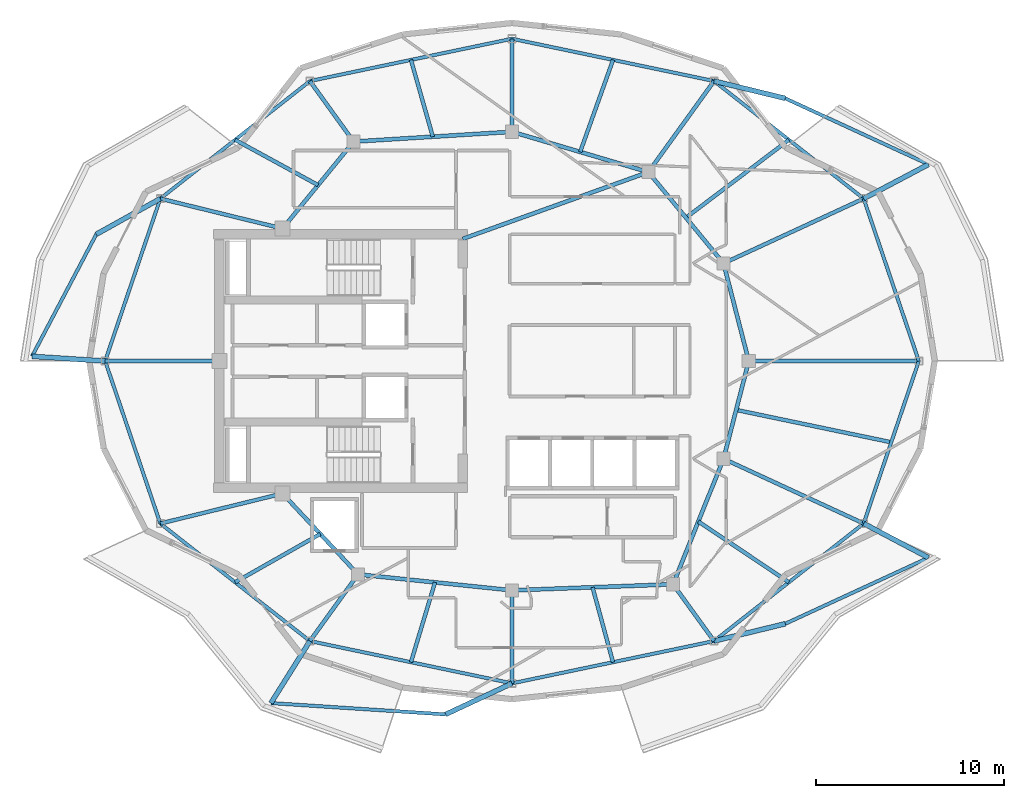
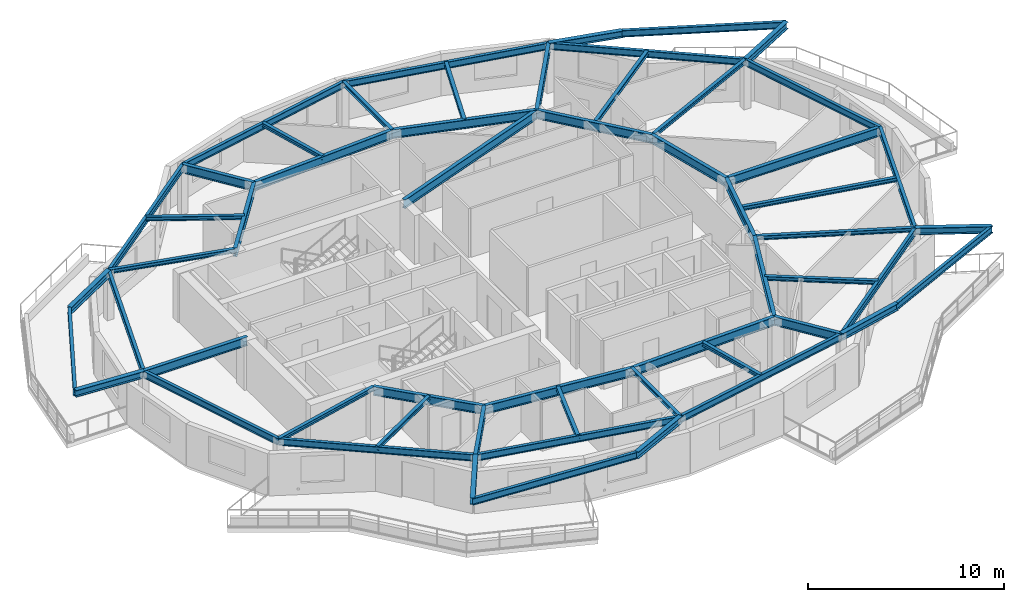
# One storey, part 2 of 9: 56 beams.
"""IFC4 building model written with IfcOpenShell, lengths in metres."""

from ifc_helpers import new_model, si_unit, direction, frame, origin, origin_2d, place, context, subcontext, project, spatial, i_section, extrude, material, material_profile, profile_set, type_object, element, save


model = new_model("IFC4")

# Units and contexts
model_context = context("Model", 3, precision=1e-05, world=origin(), true_north=direction((0.0, 1.0)))
body_context = subcontext(model_context, "Body", "Model", "MODEL_VIEW")
ifc_project = project(units=[si_unit("LENGTHUNIT", "METRE"), si_unit("AREAUNIT", "SQUARE_METRE"), si_unit("VOLUMEUNIT", "CUBIC_METRE"), si_unit("PLANEANGLEUNIT", "RADIAN"), si_unit("MASSUNIT", "GRAM", prefix="KILO")], contexts=[model_context])

# Site, building, storey
site_placement = place(None, origin())
site = spatial("IfcSite", under=ifc_project, at=site_placement, CompositionType="ELEMENT")
building_placement = place(site_placement, origin())
building = spatial("IfcBuilding", under=site, at=building_placement, Name="Kolvaren Gate Tower and Convention Centre", CompositionType="ELEMENT")
storey_placement = place(building_placement, frame((0.0, 0.0, 249.199951171875)))
storey = spatial("IfcBuildingStorey", under=building, at=storey_placement, Name="L67", CompositionType="ELEMENT", Elevation=249.199951171875)

# Beams
ifc_material = material(Name="Structural steel ASTM A992 Grade 345 MPa", Category="steel")
ifc_material_profile_1 = material_profile(ifc_material, i_section(OverallWidth=0.260009765625, OverallDepth=0.419921875, WebThickness=0.013427734375, FlangeThickness=0.0224609375, at=origin_2d()), Name="W410X132")
ifc_profile_set_1 = profile_set([ifc_material_profile_1], Name="Structural steel ASTM A992 Grade 345 MPa")
beam_type_1 = type_object("IfcBeamType", Name="STR-BM-W410X132", PredefinedType="BEAM", material=ifc_profile_set_1)
for number, where, z_axis, x_axis, name in (
    (1, (48.8388671875, 35.6435546875, 2.820556640625), (0.884160696862, 0.467182900077, 0.0), (-0.467182900077, 0.884160696862, 0.0), "Tower L68 Planted Balcony Outrigger Cantilever BC-1A"),
    (2, (40.877685546875, 41.899169921875, 2.820556640625), (0.971737499765, -0.236064041204, 0.0), (0.236064041204, 0.971737499765, 0.0), "Tower L68 Planted Balcony Outrigger Cantilever BC-1B"),
    (3, (11.4111328125, 35.6435546875, 2.820556640625), (-0.87366073598, -0.486535629123, 0.0), (0.486535629123, -0.87366073598, 0.0), "Tower L68 Planted Balcony Outrigger Cantilever BC-2A"),
):
    element("IfcBeam", number, at=place(storey_placement, frame(where, z_axis=z_axis, x_axis=x_axis)), inside=storey, type_object=beam_type_1, Name=name, PredefinedType="BEAM", context=body_context, shape_type="SweptSolid", body=[
        extrude(i_section(OverallWidth=0.260009765625, OverallDepth=0.419921875, WebThickness=0.013427734375, FlangeThickness=0.0224609375, at=origin_2d()), origin(), (0.0, 0.0, 1.0), 3.89990234375),
    ])
beam_1_placement = place(storey_placement, frame((8.47509765625, 27.0, 2.820556640625), z_axis=(-0.997935416092, 0.064225425725, 0.0), x_axis=(-0.064225425725, -0.997935416092, 0.0)))
element("IfcBeam", 4, at=beam_1_placement, inside=storey, type_object=beam_type_1, Name="Tower L68 Planted Balcony Outrigger Cantilever BC-2B", PredefinedType="BEAM", context=body_context, shape_type="SweptSolid", body=[
    extrude(i_section(OverallWidth=0.260009765625, OverallDepth=0.419921875, WebThickness=0.013427734375, FlangeThickness=0.0224609375, at=origin_2d()), origin(), (0.0, 0.0, 1.0), 3.900146484375),
])
beam_2_placement = place(storey_placement, frame((19.372314453125, 12.100830078125, 2.820556640625), z_axis=(-0.532298463372, -0.846556758813, 0.0), x_axis=(0.846556758813, -0.532298463372, 0.0)))
element("IfcBeam", 5, at=beam_2_placement, inside=storey, type_object=beam_type_1, Name="Tower L68 Planted Balcony Outrigger Cantilever BC-3A", PredefinedType="BEAM", context=body_context, shape_type="SweptSolid", body=[
    extrude(i_section(OverallWidth=0.260009765625, OverallDepth=0.419921875, WebThickness=0.013427734375, FlangeThickness=0.0224609375, at=origin_2d()), origin(), (0.0, 0.0, 1.0), 3.89990234375),
])
beam_3_placement = place(storey_placement, frame((30.125, 9.85009765625, 2.820556640625), z_axis=(-0.905850224108, -0.423598124977, 0.0), x_axis=(0.423598124977, -0.905850224108, 0.0)))
element("IfcBeam", 6, at=beam_3_placement, inside=storey, type_object=beam_type_1, Name="Tower L68 Planted Balcony Outrigger Cantilever BC-3B", PredefinedType="BEAM", context=body_context, shape_type="SweptSolid", body=[
    extrude(i_section(OverallWidth=0.260009765625, OverallDepth=0.419921875, WebThickness=0.013427734375, FlangeThickness=0.0224609375, at=origin_2d()), origin(), (0.0, 0.0, 1.0), 3.900146484375),
])
for number, where, z_axis, x_axis, name in (
    (7, (40.877685546875, 12.100830078125, 2.820556640625), (0.971737499765, 0.236064041204, 0.0), (-0.236064041204, 0.971737499765, 0.0), "Tower L68 Planted Balcony Outrigger Cantilever BC-4A"),
    (8, (48.8388671875, 18.3564453125, 2.820556640625), (0.884160696862, -0.467182900077, 0.0), (0.467182900077, 0.884160696862, 0.0), "Tower L68 Planted Balcony Outrigger Cantilever BC-4B"),
):
    element("IfcBeam", number, at=place(storey_placement, frame(where, z_axis=z_axis, x_axis=x_axis)), inside=storey, type_object=beam_type_1, Name=name, PredefinedType="BEAM", context=body_context, shape_type="SweptSolid", body=[
        extrude(i_section(OverallWidth=0.260009765625, OverallDepth=0.419921875, WebThickness=0.013427734375, FlangeThickness=0.0224609375, at=origin_2d()), origin(), (0.0, 0.0, 1.0), 3.89990234375),
    ])
ifc_material_profile_2 = material_profile(ifc_material, i_section(OverallWidth=0.2119140625, OverallDepth=0.5439453125, WebThickness=0.01318359375, FlangeThickness=0.021240234375, at=origin_2d()), Name="W530X123")
ifc_profile_set_2 = profile_set([ifc_material_profile_2], Name="Structural steel ASTM A992 Grade 345 MPa")
beam_type_2 = type_object("IfcBeamType", Name="STR-BM-W530X123", PredefinedType="BEAM", material=ifc_profile_set_2)
beam_4_placement = place(storey_placement, frame((42.72509765625, 27.0, 2.758056640625), z_axis=(-0.250091133936, -0.968222301296, 0.0), x_axis=(0.968222301296, -0.250091133936, 0.0)))
element("IfcBeam", 9, at=beam_4_placement, inside=storey, type_object=beam_type_2, Name="Tower L67 Primary Ring Girder G-01", PredefinedType="BEAM", context=body_context, shape_type="SweptSolid", body=[
    extrude(i_section(OverallWidth=0.2119140625, OverallDepth=0.5439453125, WebThickness=0.01318359375, FlangeThickness=0.021240234375, at=origin_2d()), origin(), (0.0, 0.0, 1.0), 5.3701171875),
])
beam_5_placement = place(storey_placement, frame((41.382080078125, 32.199462890625, 2.758056640625), z_axis=(-0.635884066011, 0.771784590798, 0.0), x_axis=(-0.771784590798, -0.635884066011, 0.0)))
element("IfcBeam", 10, at=beam_5_placement, inside=storey, type_object=beam_type_2, Name="Tower L67 Primary Ring Girder G-02", PredefinedType="BEAM", context=body_context, shape_type="SweptSolid", body=[
    extrude(i_section(OverallWidth=0.2119140625, OverallDepth=0.5439453125, WebThickness=0.01318359375, FlangeThickness=0.021240234375, at=origin_2d()), origin(), (0.0, 0.0, 1.0), 6.291259765625),
])
beam_6_placement = place(storey_placement, frame((37.381591796875, 37.054931640625, 2.758056640625), z_axis=(-0.958980837827, 0.283470902706, 0.0), x_axis=(-0.283470902706, -0.958980837827, 0.0)))
element("IfcBeam", 11, at=beam_6_placement, inside=storey, type_object=beam_type_2, Name="Tower L67 Primary Ring Girder G-03", PredefinedType="BEAM", context=body_context, shape_type="SweptSolid", body=[
    extrude(i_section(OverallWidth=0.2119140625, OverallDepth=0.5439453125, WebThickness=0.01318359375, FlangeThickness=0.021240234375, at=origin_2d()), origin(), (0.0, 0.0, 1.0), 7.56689453125),
])
beam_7_placement = place(storey_placement, frame((30.125, 39.199951171875, 2.758056640625), z_axis=(-0.998078258568, -0.06196603726, 0.0), x_axis=(0.06196603726, -0.998078258568, 0.0)))
element("IfcBeam", 12, at=beam_7_placement, inside=storey, type_object=beam_type_2, Name="Tower L67 Primary Ring Girder G-04", PredefinedType="BEAM", context=body_context, shape_type="SweptSolid", body=[
    extrude(i_section(OverallWidth=0.2119140625, OverallDepth=0.5439453125, WebThickness=0.01318359375, FlangeThickness=0.021240234375, at=origin_2d()), origin(), (0.0, 0.0, 1.0), 8.443115234375),
])
beam_8_placement = place(storey_placement, frame((21.697998046875, 38.6767578125, 2.758056640625), z_axis=(-0.633082074904, -0.774084676528, 0.0), x_axis=(0.774084676528, -0.633082074904, 0.0)))
element("IfcBeam", 13, at=beam_8_placement, inside=storey, type_object=beam_type_2, Name="Tower L67 Primary Ring Girder G-05", PredefinedType="BEAM", context=body_context, shape_type="SweptSolid", body=[
    extrude(i_section(OverallWidth=0.2119140625, OverallDepth=0.5439453125, WebThickness=0.01318359375, FlangeThickness=0.021240234375, at=origin_2d()), origin(), (0.0, 0.0, 1.0), 5.97705078125),
])
beam_9_placement = place(storey_placement, frame((17.9140625, 19.949951171875, 2.758056640625), z_axis=(0.682557592987, -0.730831808459, 0.0), x_axis=(0.730831808459, 0.682557592987, 0.0)))
element("IfcBeam", 14, at=beam_9_placement, inside=storey, type_object=beam_type_2, Name="Tower L67 Primary Ring Girder G-06", PredefinedType="BEAM", context=body_context, shape_type="SweptSolid", body=[
    extrude(i_section(OverallWidth=0.2119140625, OverallDepth=0.5439453125, WebThickness=0.01318359375, FlangeThickness=0.021240234375, at=origin_2d()), origin(), (0.0, 0.0, 1.0), 5.88671875),
])
beam_10_placement = place(storey_placement, frame((21.93212890625, 15.647705078125, 2.758056640625), z_axis=(0.994690329115, -0.102913308978, 0.0), x_axis=(0.102913308978, 0.994690329115, 0.0)))
element("IfcBeam", 15, at=beam_10_placement, inside=storey, type_object=beam_type_2, Name="Tower L67 Primary Ring Girder G-07", PredefinedType="BEAM", context=body_context, shape_type="SweptSolid", body=[
    extrude(i_section(OverallWidth=0.2119140625, OverallDepth=0.5439453125, WebThickness=0.01318359375, FlangeThickness=0.021240234375, at=origin_2d()), origin(), (0.0, 0.0, 1.0), 8.236572265625),
])
beam_11_placement = place(storey_placement, frame((30.125, 14.800048828125, 2.758056640625), z_axis=(0.999301712453, 0.037364254142, 0.0), x_axis=(-0.037364254142, 0.999301712453, 0.0)))
element("IfcBeam", 16, at=beam_11_placement, inside=storey, type_object=beam_type_2, Name="Tower L67 Primary Ring Girder G-08", PredefinedType="BEAM", context=body_context, shape_type="SweptSolid", body=[
    extrude(i_section(OverallWidth=0.2119140625, OverallDepth=0.5439453125, WebThickness=0.01318359375, FlangeThickness=0.021240234375, at=origin_2d()), origin(), (0.0, 0.0, 1.0), 8.579345703125),
])
beam_12_placement = place(storey_placement, frame((38.6982421875, 15.12060546875, 2.758056640625), z_axis=(0.372811100169, 0.927907260232, 0.0), x_axis=(-0.927907260232, 0.372811100169, 0.0)))
element("IfcBeam", 17, at=beam_12_placement, inside=storey, type_object=beam_type_2, Name="Tower L67 Primary Ring Girder G-09", PredefinedType="BEAM", context=body_context, shape_type="SweptSolid", body=[
    extrude(i_section(OverallWidth=0.2119140625, OverallDepth=0.5439453125, WebThickness=0.01318359375, FlangeThickness=0.021240234375, at=origin_2d()), origin(), (0.0, 0.0, 1.0), 7.198974609375),
])
beam_13_placement = place(storey_placement, frame((27.5, 33.5, 2.758056640625), z_axis=(0.940961479908, 0.338513653093, 0.0), x_axis=(-0.338513653093, 0.940961479908, 0.0)))
element("IfcBeam", 18, at=beam_13_placement, inside=storey, type_object=beam_type_2, Name="Tower L67 Primary Ring Girder G-10", PredefinedType="BEAM", context=body_context, shape_type="SweptSolid", body=[
    extrude(i_section(OverallWidth=0.2119140625, OverallDepth=0.5439453125, WebThickness=0.01318359375, FlangeThickness=0.021240234375, at=origin_2d()), origin(), (0.0, 0.0, 1.0), 10.501708984375),
])
beam_14_placement = place(storey_placement, frame((42.72509765625, 27.0, 2.758056640625), z_axis=(-0.250091133936, 0.968222301296, 0.0), x_axis=(-0.968222301296, -0.250091133936, 0.0)))
element("IfcBeam", 19, at=beam_14_placement, inside=storey, type_object=beam_type_2, Name="Tower L67 Primary Ring Girder G-12", PredefinedType="BEAM", context=body_context, shape_type="SweptSolid", body=[
    extrude(i_section(OverallWidth=0.2119140625, OverallDepth=0.5439453125, WebThickness=0.01318359375, FlangeThickness=0.021240234375, at=origin_2d()), origin(), (0.0, 0.0, 1.0), 5.3701171875),
])
beam_15_placement = place(storey_placement, frame((42.72509765625, 27.0, 2.758056640625), z_axis=(1.0, 0.0, 0.0), x_axis=(0.0, 1.0, 0.0)))
element("IfcBeam", 20, at=beam_15_placement, inside=storey, type_object=beam_type_2, Name="Tower L67 Radial Floor Girder RB-01", PredefinedType="BEAM", context=body_context, shape_type="SweptSolid", body=[
    extrude(i_section(OverallWidth=0.2119140625, OverallDepth=0.5439453125, WebThickness=0.01318359375, FlangeThickness=0.021240234375, at=origin_2d()), origin(), (0.0, 0.0, 1.0), 9.0498046875),
])
beam_16_placement = place(storey_placement, frame((37.381591796875, 37.054931640625, 2.758056640625), z_axis=(0.585212989833, 0.810879619013, 0.0), x_axis=(-0.810879619013, 0.585212989833, 0.0)))
element("IfcBeam", 21, at=beam_16_placement, inside=storey, type_object=beam_type_2, Name="Tower L67 Radial Floor Girder RB-03", PredefinedType="BEAM", context=body_context, shape_type="SweptSolid", body=[
    extrude(i_section(OverallWidth=0.2119140625, OverallDepth=0.5439453125, WebThickness=0.01318359375, FlangeThickness=0.021240234375, at=origin_2d()), origin(), (0.0, 0.0, 1.0), 5.97412109375),
])
beam_17_placement = place(storey_placement, frame((21.697998046875, 38.6767578125, 2.758056640625), z_axis=(-0.585223600457, 0.810871961205, 0.0), x_axis=(-0.810871961205, -0.585223600457, 0.0)))
element("IfcBeam", 22, at=beam_17_placement, inside=storey, type_object=beam_type_2, Name="Tower L67 Radial Floor Girder RB-05", PredefinedType="BEAM", context=body_context, shape_type="SweptSolid", body=[
    extrude(i_section(OverallWidth=0.2119140625, OverallDepth=0.5439453125, WebThickness=0.01318359375, FlangeThickness=0.021240234375, at=origin_2d()), origin(), (0.0, 0.0, 1.0), 3.97412109375),
])
beam_18_placement = place(storey_placement, frame((14.550048828125, 27.0, 2.758056640625), z_axis=(-1.0, 0.0, 0.0), x_axis=(0.0, -1.0, 0.0)))
element("IfcBeam", 23, at=beam_18_placement, inside=storey, type_object=beam_type_2, Name="Tower L67 Radial Floor Girder RB-07", PredefinedType="BEAM", context=body_context, shape_type="SweptSolid", body=[
    extrude(i_section(OverallWidth=0.2119140625, OverallDepth=0.5439453125, WebThickness=0.01318359375, FlangeThickness=0.021240234375, at=origin_2d()), origin(), (0.0, 0.0, 1.0), 6.074951171875),
])
beam_19_placement = place(storey_placement, frame((21.93212890625, 15.647705078125, 2.758056640625), z_axis=(-0.585217447343, -0.810876402003, 0.0), x_axis=(0.810876402003, -0.585217447343, 0.0)))
element("IfcBeam", 24, at=beam_19_placement, inside=storey, type_object=beam_type_2, Name="Tower L67 Radial Floor Girder RB-09", PredefinedType="BEAM", context=body_context, shape_type="SweptSolid", body=[
    extrude(i_section(OverallWidth=0.2119140625, OverallDepth=0.5439453125, WebThickness=0.01318359375, FlangeThickness=0.021240234375, at=origin_2d()), origin(), (0.0, 0.0, 1.0), 4.3740234375),
])
beam_20_placement = place(storey_placement, frame((38.6982421875, 15.12060546875, 2.758056640625), z_axis=(0.58522483817, -0.81087106792, 0.0), x_axis=(0.81087106792, 0.58522483817, 0.0)))
element("IfcBeam", 25, at=beam_20_placement, inside=storey, type_object=beam_type_2, Name="Tower L67 Radial Floor Girder RB-11", PredefinedType="BEAM", context=body_context, shape_type="SweptSolid", body=[
    extrude(i_section(OverallWidth=0.2119140625, OverallDepth=0.5439453125, WebThickness=0.01318359375, FlangeThickness=0.021240234375, at=origin_2d()), origin(), (0.0, 0.0, 1.0), 3.72412109375),
])
ifc_material_profile_3 = material_profile(ifc_material, i_section(OverallWidth=0.202880859375, OverallDepth=0.251953125, WebThickness=0.008056640625, FlangeThickness=0.013427734375, at=origin_2d()), Name="W250X58")
ifc_profile_set_3 = profile_set([ifc_material_profile_3], Name="Structural steel ASTM A992 Grade 345 MPa")
beam_type_3 = type_object("IfcBeamType", Name="STR-JS-W250X58", PredefinedType="JOIST", material=ifc_profile_set_3)
beam_21_placement = place(storey_placement, frame((41.382080078125, 32.199462890625, 2.904052734375), z_axis=(0.907843645886, 0.419308853502, 0.0), x_axis=(-0.419308853502, 0.907843645886, 0.0)))
element("IfcBeam", 26, at=beam_21_placement, inside=storey, type_object=beam_type_3, Name="Tower L67 Radial Floor Girder RB-02", PredefinedType="JOIST", context=body_context, shape_type="SweptSolid", body=[
    extrude(i_section(OverallWidth=0.202880859375, OverallDepth=0.251953125, WebThickness=0.008056640625, FlangeThickness=0.013427734375, at=origin_2d()), origin(), (0.0, 0.0, 1.0), 8.213623046875),
])
beam_22_placement = place(storey_placement, frame((30.125, 39.199951171875, 2.904052734375), z_axis=(0.0, 1.0, 0.0), x_axis=(-1.0, 0.0, 0.0)))
element("IfcBeam", 27, at=beam_22_placement, inside=storey, type_object=beam_type_3, Name="Tower L67 Radial Floor Girder RB-04", PredefinedType="JOIST", context=body_context, shape_type="SweptSolid", body=[
    extrude(i_section(OverallWidth=0.202880859375, OverallDepth=0.251953125, WebThickness=0.008056640625, FlangeThickness=0.013427734375, at=origin_2d()), origin(), (0.0, 0.0, 1.0), 4.949951171875),
])
for number, where, z_axis, x_axis, name in (
    (28, (17.9140625, 34.050048828125, 2.904052734375), (-0.971264462968, 0.238002821362, 0.0), (-0.238002821362, -0.971264462968, 0.0), "Tower L67 Radial Floor Girder RB-06"),
    (29, (17.9140625, 19.949951171875, 2.904052734375), (-0.971264462968, -0.238002821362, 0.0), (0.238002821362, -0.971264462968, 0.0), "Tower L67 Radial Floor Girder RB-08"),
):
    element("IfcBeam", number, at=place(storey_placement, frame(where, z_axis=z_axis, x_axis=x_axis)), inside=storey, type_object=beam_type_3, Name=name, PredefinedType="JOIST", context=body_context, shape_type="SweptSolid", body=[
        extrude(i_section(OverallWidth=0.202880859375, OverallDepth=0.251953125, WebThickness=0.008056640625, FlangeThickness=0.013427734375, at=origin_2d()), origin(), (0.0, 0.0, 1.0), 6.6953125),
    ])
beam_23_placement = place(storey_placement, frame((30.125, 14.800048828125, 2.904052734375), z_axis=(0.0, -1.0, 0.0), x_axis=(1.0, 0.0, 0.0)))
element("IfcBeam", 30, at=beam_23_placement, inside=storey, type_object=beam_type_3, Name="Tower L67 Radial Floor Girder RB-10", PredefinedType="JOIST", context=body_context, shape_type="SweptSolid", body=[
    extrude(i_section(OverallWidth=0.202880859375, OverallDepth=0.251953125, WebThickness=0.008056640625, FlangeThickness=0.013427734375, at=origin_2d()), origin(), (0.0, 0.0, 1.0), 4.949951171875),
])
beam_24_placement = place(storey_placement, frame((41.382080078125, 21.800537109375, 2.904052734375), z_axis=(0.907843645886, -0.419308853502, 0.0), x_axis=(0.419308853502, 0.907843645886, 0.0)))
element("IfcBeam", 31, at=beam_24_placement, inside=storey, type_object=beam_type_3, Name="Tower L67 Radial Floor Girder RB-12", PredefinedType="JOIST", context=body_context, shape_type="SweptSolid", body=[
    extrude(i_section(OverallWidth=0.202880859375, OverallDepth=0.251953125, WebThickness=0.008056640625, FlangeThickness=0.013427734375, at=origin_2d()), origin(), (0.0, 0.0, 1.0), 8.213623046875),
])
beam_25_placement = place(storey_placement, frame((39.3818359375, 34.627197265625, 2.904052734375), z_axis=(0.797403149346, 0.603446946643, 0.0), x_axis=(-0.603446946643, 0.797403149346, 0.0)))
element("IfcBeam", 32, at=beam_25_placement, inside=storey, type_object=beam_type_3, Name="Tower L67 Secondary Composite Floor Joist J-02.1", PredefinedType="JOIST", context=body_context, shape_type="SweptSolid", body=[
    extrude(i_section(OverallWidth=0.202880859375, OverallDepth=0.251953125, WebThickness=0.008056640625, FlangeThickness=0.013427734375, at=origin_2d()), origin(), (0.0, 0.0, 1.0), 6.86767578125),
])
beam_26_placement = place(storey_placement, frame((33.75341796875, 38.12744140625, 2.904052734375), z_axis=(0.336131158814, 0.941815185731, 0.0), x_axis=(-0.941815185731, 0.336131158814, 0.0)))
element("IfcBeam", 33, at=beam_26_placement, inside=storey, type_object=beam_type_3, Name="Tower L67 Secondary Composite Floor Joist J-03.1", PredefinedType="JOIST", context=body_context, shape_type="SweptSolid", body=[
    extrude(i_section(OverallWidth=0.202880859375, OverallDepth=0.251953125, WebThickness=0.008056640625, FlangeThickness=0.013427734375, at=origin_2d()), origin(), (0.0, 0.0, 1.0), 5.19970703125),
])
beam_27_placement = place(storey_placement, frame((25.91162109375, 38.938232421875, 2.904052734375), z_axis=(-0.273696395326, 0.961816137932, 0.0), x_axis=(-0.961816137932, -0.273696395326, 0.0)))
element("IfcBeam", 34, at=beam_27_placement, inside=storey, type_object=beam_type_3, Name="Tower L67 Secondary Composite Floor Joist J-04.1", PredefinedType="JOIST", context=body_context, shape_type="SweptSolid", body=[
    extrude(i_section(OverallWidth=0.202880859375, OverallDepth=0.251953125, WebThickness=0.008056640625, FlangeThickness=0.013427734375, at=origin_2d()), origin(), (0.0, 0.0, 1.0), 4.24853515625),
])
beam_28_placement = place(storey_placement, frame((19.805908203125, 36.36328125, 2.904052734375), z_axis=(-0.8778621722, 0.478913360244, 0.0), x_axis=(-0.478913360244, -0.8778621722, 0.0)))
element("IfcBeam", 35, at=beam_28_placement, inside=storey, type_object=beam_type_3, Name="Tower L67 Secondary Composite Floor Joist J-05.1", PredefinedType="JOIST", context=body_context, shape_type="SweptSolid", body=[
    extrude(i_section(OverallWidth=0.202880859375, OverallDepth=0.251953125, WebThickness=0.008056640625, FlangeThickness=0.013427734375, at=origin_2d()), origin(), (0.0, 0.0, 1.0), 5.028564453125),
])
beam_29_placement = place(storey_placement, frame((19.923095703125, 17.798828125, 2.904052734375), z_axis=(-0.869819092813, -0.493370799479, 0.0), x_axis=(0.493370799479, -0.869819092813, 0.0)))
element("IfcBeam", 36, at=beam_29_placement, inside=storey, type_object=beam_type_3, Name="Tower L67 Secondary Composite Floor Joist J-08.1", PredefinedType="JOIST", context=body_context, shape_type="SweptSolid", body=[
    extrude(i_section(OverallWidth=0.202880859375, OverallDepth=0.251953125, WebThickness=0.008056640625, FlangeThickness=0.013427734375, at=origin_2d()), origin(), (0.0, 0.0, 1.0), 5.209716796875),
])
beam_30_placement = place(storey_placement, frame((26.028564453125, 15.223876953125, 2.904052734375), z_axis=(-0.288427961133, -0.957501598556, 0.0), x_axis=(0.957501598556, -0.288427961133, 0.0)))
element("IfcBeam", 37, at=beam_30_placement, inside=storey, type_object=beam_type_3, Name="Tower L67 Secondary Composite Floor Joist J-09.1", PredefinedType="JOIST", context=body_context, shape_type="SweptSolid", body=[
    extrude(i_section(OverallWidth=0.202880859375, OverallDepth=0.251953125, WebThickness=0.008056640625, FlangeThickness=0.013427734375, at=origin_2d()), origin(), (0.0, 0.0, 1.0), 4.43701171875),
])
beam_31_placement = place(storey_placement, frame((34.41162109375, 14.960205078125, 2.904052734375), z_axis=(0.263752420282, -0.964590410898, 0.0), x_axis=(0.964590410898, 0.263752420282, 0.0)))
element("IfcBeam", 38, at=beam_31_placement, inside=storey, type_object=beam_type_3, Name="Tower L67 Secondary Composite Floor Joist J-10.1", PredefinedType="JOIST", context=body_context, shape_type="SweptSolid", body=[
    extrude(i_section(OverallWidth=0.202880859375, OverallDepth=0.251953125, WebThickness=0.008056640625, FlangeThickness=0.013427734375, at=origin_2d()), origin(), (0.0, 0.0, 1.0), 4.131103515625),
])
beam_32_placement = place(storey_placement, frame((40.040283203125, 18.46044921875, 2.904052734375), z_axis=(0.830454207472, -0.557086895638, 0.0), x_axis=(0.557086895638, 0.830454207472, 0.0)))
element("IfcBeam", 39, at=beam_32_placement, inside=storey, type_object=beam_type_3, Name="Tower L67 Secondary Composite Floor Joist J-11.1", PredefinedType="JOIST", context=body_context, shape_type="SweptSolid", body=[
    extrude(i_section(OverallWidth=0.202880859375, OverallDepth=0.251953125, WebThickness=0.008056640625, FlangeThickness=0.013427734375, at=origin_2d()), origin(), (0.0, 0.0, 1.0), 5.801513671875),
])
beam_33_placement = place(storey_placement, frame((42.0537109375, 24.400146484375, 2.904052734375), z_axis=(0.978920872293, -0.204239873163, 0.0), x_axis=(0.204239873163, 0.978920872293, 0.0)))
element("IfcBeam", 40, at=beam_33_placement, inside=storey, type_object=beam_type_3, Name="Tower L67 Secondary Composite Floor Joist J-12.1", PredefinedType="JOIST", context=body_context, shape_type="SweptSolid", body=[
    extrude(i_section(OverallWidth=0.202880859375, OverallDepth=0.251953125, WebThickness=0.008056640625, FlangeThickness=0.013427734375, at=origin_2d()), origin(), (0.0, 0.0, 1.0), 8.430908203125),
])
ifc_material_profile_4 = material_profile(ifc_material, i_section(OverallWidth=0.180908203125, OverallDepth=0.4169921875, WebThickness=0.010986328125, FlangeThickness=0.018310546875, at=origin_2d()), Name="W410X85")
ifc_profile_set_4 = profile_set([ifc_material_profile_4], Name="Structural steel ASTM A992 Grade 345 MPa")
beam_type_4 = type_object("IfcBeamType", Name="STR-SP-W410X85", PredefinedType="SPANDREL", material=ifc_profile_set_4)
beam_34_placement = place(storey_placement, frame((51.77490234375, 27.0, 2.821533203125), z_axis=(-0.32163038352, 0.946865300028, 0.0), x_axis=(-0.946865300028, -0.32163038352, 0.0)))
element("IfcBeam", 41, at=beam_34_placement, inside=storey, type_object=beam_type_4, Name="Tower L67 Perimeter Spandrel Beam SP-01", PredefinedType="SPANDREL", context=body_context, shape_type="SweptSolid", body=[
    extrude(i_section(OverallWidth=0.180908203125, OverallDepth=0.4169921875, WebThickness=0.010986328125, FlangeThickness=0.018310546875, at=origin_2d()), origin(), (0.0, 0.0, 1.0), 9.128662109375),
])
beam_35_placement = place(storey_placement, frame((48.8388671875, 35.6435546875, 2.821533203125), z_axis=(-0.786299093723, 0.61784604491, 0.0), x_axis=(-0.61784604491, -0.786299093723, 0.0)))
element("IfcBeam", 42, at=beam_35_placement, inside=storey, type_object=beam_type_4, Name="Tower L67 Perimeter Spandrel Beam SP-02", PredefinedType="SPANDREL", context=body_context, shape_type="SweptSolid", body=[
    extrude(i_section(OverallWidth=0.180908203125, OverallDepth=0.4169921875, WebThickness=0.010986328125, FlangeThickness=0.018310546875, at=origin_2d()), origin(), (0.0, 0.0, 1.0), 10.124755859375),
])
for number, where, z_axis, x_axis, name in (
    (43, (40.877685546875, 41.899169921875, 2.821533203125), (-0.97878751616, 0.204878008117, 0.0), (-0.204878008117, -0.97878751616, 0.0), "Tower L67 Perimeter Spandrel Beam SP-03"),
    (44, (30.125, 44.14990234375, 2.821533203125), (-0.97878751616, -0.204878008117, 0.0), (0.204878008117, -0.97878751616, 0.0), "Tower L67 Perimeter Spandrel Beam SP-04"),
):
    element("IfcBeam", number, at=place(storey_placement, frame(where, z_axis=z_axis, x_axis=x_axis)), inside=storey, type_object=beam_type_4, Name=name, PredefinedType="SPANDREL", context=body_context, shape_type="SweptSolid", body=[
        extrude(i_section(OverallWidth=0.180908203125, OverallDepth=0.4169921875, WebThickness=0.010986328125, FlangeThickness=0.018310546875, at=origin_2d()), origin(), (0.0, 0.0, 1.0), 10.98583984375),
    ])
beam_36_placement = place(storey_placement, frame((19.372314453125, 41.899169921875, 2.821533203125), z_axis=(-0.786299093723, -0.61784604491, 0.0), x_axis=(0.61784604491, -0.786299093723, 0.0)))
element("IfcBeam", 45, at=beam_36_placement, inside=storey, type_object=beam_type_4, Name="Tower L67 Perimeter Spandrel Beam SP-05", PredefinedType="SPANDREL", context=body_context, shape_type="SweptSolid", body=[
    extrude(i_section(OverallWidth=0.180908203125, OverallDepth=0.4169921875, WebThickness=0.010986328125, FlangeThickness=0.018310546875, at=origin_2d()), origin(), (0.0, 0.0, 1.0), 10.124755859375),
])
for number, where, z_axis, x_axis, name in (
    (46, (11.4111328125, 35.6435546875, 2.821533203125), (-0.32163038352, -0.946865300028, 0.0), (0.946865300028, -0.32163038352, 0.0), "Tower L67 Perimeter Spandrel Beam SP-06"),
    (47, (8.47509765625, 27.0, 2.821533203125), (0.32163038352, -0.946865300028, 0.0), (0.946865300028, 0.32163038352, 0.0), "Tower L67 Perimeter Spandrel Beam SP-07"),
):
    element("IfcBeam", number, at=place(storey_placement, frame(where, z_axis=z_axis, x_axis=x_axis)), inside=storey, type_object=beam_type_4, Name=name, PredefinedType="SPANDREL", context=body_context, shape_type="SweptSolid", body=[
        extrude(i_section(OverallWidth=0.180908203125, OverallDepth=0.4169921875, WebThickness=0.010986328125, FlangeThickness=0.018310546875, at=origin_2d()), origin(), (0.0, 0.0, 1.0), 9.128662109375),
    ])
beam_37_placement = place(storey_placement, frame((11.4111328125, 18.3564453125, 2.821533203125), z_axis=(0.786299093723, -0.61784604491, 0.0), x_axis=(0.61784604491, 0.786299093723, 0.0)))
element("IfcBeam", 48, at=beam_37_placement, inside=storey, type_object=beam_type_4, Name="Tower L67 Perimeter Spandrel Beam SP-08", PredefinedType="SPANDREL", context=body_context, shape_type="SweptSolid", body=[
    extrude(i_section(OverallWidth=0.180908203125, OverallDepth=0.4169921875, WebThickness=0.010986328125, FlangeThickness=0.018310546875, at=origin_2d()), origin(), (0.0, 0.0, 1.0), 10.124755859375),
])
for number, where, z_axis, x_axis, name in (
    (49, (19.372314453125, 12.100830078125, 2.821533203125), (0.97878751616, -0.204878008117, 0.0), (0.204878008117, 0.97878751616, 0.0), "Tower L67 Perimeter Spandrel Beam SP-09"),
    (50, (30.125, 9.85009765625, 2.821533203125), (0.97878751616, 0.204878008117, 0.0), (-0.204878008117, 0.97878751616, 0.0), "Tower L67 Perimeter Spandrel Beam SP-10"),
):
    element("IfcBeam", number, at=place(storey_placement, frame(where, z_axis=z_axis, x_axis=x_axis)), inside=storey, type_object=beam_type_4, Name=name, PredefinedType="SPANDREL", context=body_context, shape_type="SweptSolid", body=[
        extrude(i_section(OverallWidth=0.180908203125, OverallDepth=0.4169921875, WebThickness=0.010986328125, FlangeThickness=0.018310546875, at=origin_2d()), origin(), (0.0, 0.0, 1.0), 10.98583984375),
    ])
beam_38_placement = place(storey_placement, frame((40.877685546875, 12.100830078125, 2.821533203125), z_axis=(0.786299093723, 0.61784604491, 0.0), x_axis=(-0.61784604491, 0.786299093723, 0.0)))
element("IfcBeam", 51, at=beam_38_placement, inside=storey, type_object=beam_type_4, Name="Tower L67 Perimeter Spandrel Beam SP-11", PredefinedType="SPANDREL", context=body_context, shape_type="SweptSolid", body=[
    extrude(i_section(OverallWidth=0.180908203125, OverallDepth=0.4169921875, WebThickness=0.010986328125, FlangeThickness=0.018310546875, at=origin_2d()), origin(), (0.0, 0.0, 1.0), 10.124755859375),
])
beam_39_placement = place(storey_placement, frame((48.8388671875, 18.3564453125, 2.821533203125), z_axis=(0.32163038352, 0.946865300028, 0.0), x_axis=(-0.946865300028, 0.32163038352, 0.0)))
element("IfcBeam", 52, at=beam_39_placement, inside=storey, type_object=beam_type_4, Name="Tower L67 Perimeter Spandrel Beam SP-12", PredefinedType="SPANDREL", context=body_context, shape_type="SweptSolid", body=[
    extrude(i_section(OverallWidth=0.180908203125, OverallDepth=0.4169921875, WebThickness=0.010986328125, FlangeThickness=0.018310546875, at=origin_2d()), origin(), (0.0, 0.0, 1.0), 9.128662109375),
])
beam_40_placement = place(storey_placement, frame((52.287109375, 37.465576171875, 2.822021484375), z_axis=(-0.908132188817, 0.41868356504, 0.0), x_axis=(-0.41868356504, -0.908132188817, 0.0)))
element("IfcBeam", 53, at=beam_40_placement, inside=storey, type_object=beam_type_4, Name="Tower L68 Planted Balcony Header Tie Beam BT-1", PredefinedType="SPANDREL", context=body_context, shape_type="SweptSolid", body=[
    extrude(i_section(OverallWidth=0.180908203125, OverallDepth=0.4169921875, WebThickness=0.010986328125, FlangeThickness=0.018310546875, at=origin_2d()), origin(), (0.0, 0.0, 1.0), 8.390380859375),
])
beam_41_placement = place(storey_placement, frame((8.00390625, 33.74609375, 2.822021484375), z_axis=(-0.465976681048, -0.884797000854, 0.0), x_axis=(0.884797000854, -0.465976681048, 0.0)))
element("IfcBeam", 54, at=beam_41_placement, inside=storey, type_object=beam_type_4, Name="Tower L68 Planted Balcony Header Tie Beam BT-2", PredefinedType="SPANDREL", context=body_context, shape_type="SweptSolid", body=[
    extrude(i_section(OverallWidth=0.180908203125, OverallDepth=0.4169921875, WebThickness=0.010986328125, FlangeThickness=0.018310546875, at=origin_2d()), origin(), (0.0, 0.0, 1.0), 7.34130859375),
])
beam_42_placement = place(storey_placement, frame((17.29638671875, 8.79931640625, 2.822021484375), z_axis=(0.997914267467, -0.064553193454, 0.0), x_axis=(0.064553193454, 0.997914267467, 0.0)))
element("IfcBeam", 55, at=beam_42_placement, inside=storey, type_object=beam_type_4, Name="Tower L68 Planted Balcony Header Tie Beam BT-3", PredefinedType="SPANDREL", context=body_context, shape_type="SweptSolid", body=[
    extrude(i_section(OverallWidth=0.180908203125, OverallDepth=0.4169921875, WebThickness=0.010986328125, FlangeThickness=0.018310546875, at=origin_2d()), origin(), (0.0, 0.0, 1.0), 9.315185546875),
])
beam_43_placement = place(storey_placement, frame((44.66748046875, 13.021484375, 2.822021484375), z_axis=(0.908132188817, 0.41868356504, 0.0), x_axis=(-0.41868356504, 0.908132188817, 0.0)))
element("IfcBeam", 56, at=beam_43_placement, inside=storey, type_object=beam_type_4, Name="Tower L68 Planted Balcony Header Tie Beam BT-4", PredefinedType="SPANDREL", context=body_context, shape_type="SweptSolid", body=[
    extrude(i_section(OverallWidth=0.180908203125, OverallDepth=0.4169921875, WebThickness=0.010986328125, FlangeThickness=0.018310546875, at=origin_2d()), origin(), (0.0, 0.0, 1.0), 8.390380859375),
])

save(model, "model.ifc")
